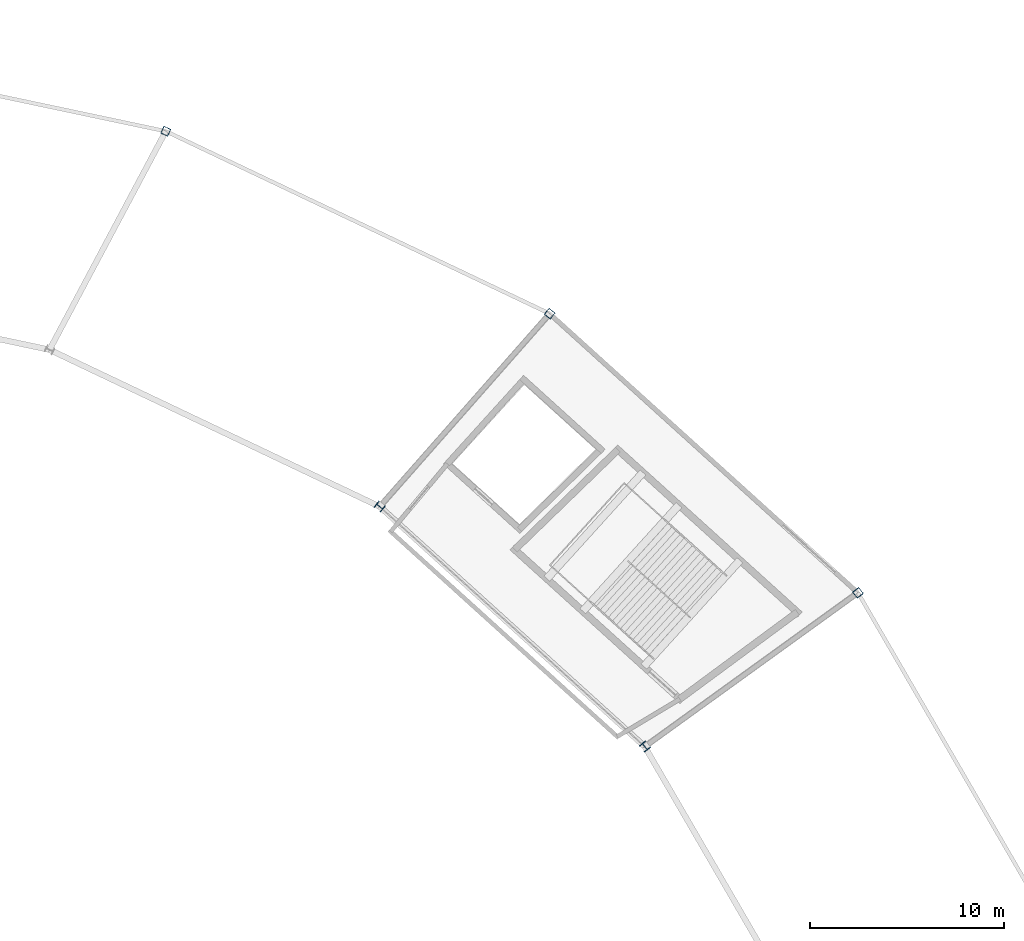
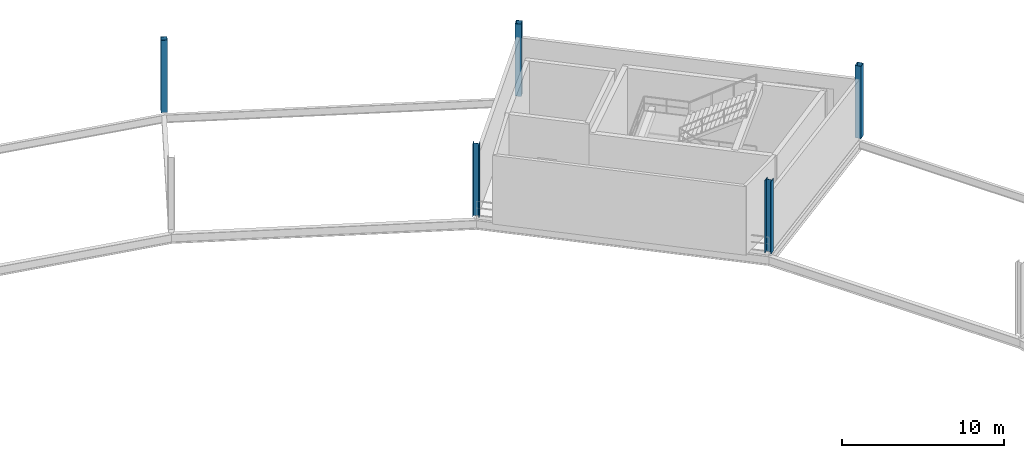
# One storey, part 11 of 86: 5 columns.
"""IFC4 building model written with IfcOpenShell, lengths in metres."""

import ifcopenshell
import ifcopenshell.guid

model = None  # the IFC model being written
_history = None  # IfcOwnerHistory: only IFC2X3 demands one
_inside = {}  # id of a spatial element -> (the spatial element, [elements in it])
_under = {}  # id of a project, library or spatial element -> (it, [spatial elements below it])
_declared = {}  # id of a project -> (the project, [libraries it declares])
_typed = {}  # id of a type object -> (the type object, [elements of that type])
_made_of = {}  # id of a material, layer set ... -> (it, [elements and type objects made of it])


def new_model(schema):
    """Start an empty IFC model of exactly this schema.

    Asked for "IFC4X3", IfcOpenShell would pick the latest addendum, in which some entities
    have other attributes; the version numbers below select the first issue.
    IFC2X3 requires an IfcOwnerHistory on every rooted entity: one is made here for all.
    """
    global model, _history
    if schema == "IFC4X3":
        model = ifcopenshell.file(schema_version=(4, 3, 0, 0))
    else:
        model = ifcopenshell.file(schema=schema)
    _inside.clear()
    _under.clear()
    _declared.clear()
    _typed.clear()
    _made_of.clear()
    _history = None
    if model.schema == "IFC2X3":
        org = make("IfcOrganization", Name="unknown")
        user = make(
            "IfcPersonAndOrganization",
            ThePerson=make("IfcPerson", FamilyName="unknown"),
            TheOrganization=org,
        )
        app = make(
            "IfcApplication",
            ApplicationDeveloper=org,
            Version="unknown",
            ApplicationFullName="unknown",
            ApplicationIdentifier="unknown",
        )
        _history = make(
            "IfcOwnerHistory",
            OwningUser=user,
            OwningApplication=app,
            ChangeAction="ADDED",
            CreationDate=0,
        )
    return model


def make(cls, **values):
    """One entity of the class cls with the attributes given. An attribute that is None is left unset."""
    return model.create_entity(
        cls, **{name: value for name, value in values.items() if value is not None}
    )


def rooted(cls, **values):
    """An entity with a GlobalId (a new one), such as an element, a storey or a relation."""
    return make(cls, GlobalId=ifcopenshell.guid.new(), OwnerHistory=_history, **values)


def si_unit(unit_type, name, prefix=None):
    """IfcSIUnit, for example si_unit("LENGTHUNIT", "METRE", prefix="MILLI")."""
    return make("IfcSIUnit", UnitType=unit_type, Prefix=prefix, Name=name)


def assignment(units):
    """IfcUnitAssignment: the units of a project."""
    return None if units is None else make("IfcUnitAssignment", Units=units)


def point(xyz):
    """IfcCartesianPoint."""
    return None if xyz is None else make("IfcCartesianPoint", Coordinates=xyz)


def direction(xyz):
    """IfcDirection."""
    return None if xyz is None else make("IfcDirection", DirectionRatios=xyz)


def frame(location, z_axis=None, x_axis=None):
    """IfcAxis2Placement3D, a coordinate frame: its origin and axes. An axis left out is left unset."""
    return make(
        "IfcAxis2Placement3D",
        Location=point(location),
        Axis=direction(z_axis),
        RefDirection=direction(x_axis),
    )


def frame_2d(location, x_axis=None):
    """IfcAxis2Placement2D, a coordinate frame in the plane: its origin and x axis."""
    return make(
        "IfcAxis2Placement2D", Location=point(location), RefDirection=direction(x_axis)
    )


def origin():
    """The frame at (0, 0, 0) with its axes left unset."""
    return frame((0.0, 0.0, 0.0))


def origin_2d():
    """The frame at (0, 0) in the plane with its x axis left unset."""
    return frame_2d((0.0, 0.0))


def place(relative_to, where):
    """IfcLocalPlacement: puts the frame where relative to a parent placement (None: the world)."""
    return make(
        "IfcLocalPlacement", PlacementRelTo=relative_to, RelativePlacement=where
    )


def context(
    kind, dimensions, precision=None, world=None, true_north=None, identifier=None
):
    """IfcGeometricRepresentationContext, for example the 3D "Model" context."""
    return make(
        "IfcGeometricRepresentationContext",
        ContextIdentifier=identifier,
        ContextType=kind,
        CoordinateSpaceDimension=dimensions,
        Precision=precision,
        WorldCoordinateSystem=world,
        TrueNorth=true_north,
    )


def subcontext(parent, identifier, kind, view, scale=None):
    """IfcGeometricRepresentationSubContext, for example "Body" below "Model"."""
    return make(
        "IfcGeometricRepresentationSubContext",
        ContextIdentifier=identifier,
        ContextType=kind,
        ParentContext=parent,
        TargetScale=scale,
        TargetView=view,
    )


def project(units=None, contexts=None):
    """IfcProject with its units and contexts."""
    return rooted(
        "IfcProject",
        Name="project",
        RepresentationContexts=contexts,
        UnitsInContext=assignment(units),
    )


def spatial(cls, under=None, at=None, **own):
    """A site, building, storey or space (cls), placed at a placement, below another one or the project."""
    s = rooted(cls, ObjectPlacement=at, **own)
    if under is not None:
        _under.setdefault(under.id(), (under, []))[1].append(s)
    return s


def profile(cls, at=None, kind="AREA", **sizes):
    """A parametric profile (cls). Its sizes go by their IFC names, for example OverallWidth=200.0."""
    return make(cls, ProfileType=kind, Position=at, **sizes)


def hollow_rectangle(**sizes):
    """IfcRectangleHollowProfileDef."""
    return profile("IfcRectangleHollowProfileDef", **sizes)


def i_section(**sizes):
    """IfcIShapeProfileDef."""
    return profile("IfcIShapeProfileDef", **sizes)


def extrude(swept, where, along, depth):
    """IfcExtrudedAreaSolid: the profile swept, set in the frame where, extruded along a direction by depth."""
    return make(
        "IfcExtrudedAreaSolid",
        SweptArea=swept,
        Position=where,
        ExtrudedDirection=direction(along),
        Depth=depth,
    )


def shape(context_of_items, identifier, shape_type, items):
    """IfcShapeRepresentation: the items that make up one representation, for example the "Body"."""
    return make(
        "IfcShapeRepresentation",
        ContextOfItems=context_of_items,
        RepresentationIdentifier=identifier,
        RepresentationType=shape_type,
        Items=items,
    )


def material(Name=None, Category=None):
    """IfcMaterial."""
    return make("IfcMaterial", Name=Name, Category=Category)


def material_profile(
    of_material, cross_section, Name=None, Category=None, Priority=None
):
    """IfcMaterialProfile: a cross section and its material."""
    return make(
        "IfcMaterialProfile",
        Name=Name,
        Material=of_material,
        Profile=cross_section,
        Priority=Priority,
        Category=Category,
    )


def profile_set(profiles, Name=None, composite=None):
    """IfcMaterialProfileSet."""
    return make(
        "IfcMaterialProfileSet",
        Name=Name,
        MaterialProfiles=profiles,
        CompositeProfile=composite,
    )


def made_of(thing, what):
    """Note that an element or type object is made of a material, layer set ...; save() writes the relation."""
    if what is not None:
        _made_of.setdefault(what.id(), (what, []))[1].append(thing)
    return thing


def type_object(cls, material=None, **own):
    """A type object (cls), such as IfcWallType, which elements share."""
    return made_of(rooted(cls, **own), material)


def element(
    cls,
    number,
    at=None,
    inside=None,
    cuts=None,
    type_object=None,
    material=None,
    context=None,
    identifier="Body",
    shape_type=None,
    held_by="IfcProductDefinitionShape",
    body=None,
    shapes=None,
    **own,
):
    """One element of the class cls, such as IfcWall. Its Tag is "e" and its number.

    at: its placement. inside: the storey or other place that contains it. cuts: it is an
    opening in that element (IfcRelVoidsElement). A single representation is given by context,
    identifier, shape_type and body (its items); several are given by shapes. held_by: the class
    of the entity that holds the representations. save() writes the other relations.
    """
    e = rooted(cls, Tag="e%d" % number, ObjectPlacement=at, **own)
    if body is not None:
        shapes = [shape(context, identifier, shape_type, body)]
    if shapes is not None:
        e.Representation = make(held_by, Representations=shapes)
    if inside is not None:
        _inside.setdefault(inside.id(), (inside, []))[1].append(e)
    if cuts is not None:
        rooted(
            "IfcRelVoidsElement", RelatingBuildingElement=cuts, RelatedOpeningElement=e
        )
    if type_object is not None:
        _typed.setdefault(type_object.id(), (type_object, []))[1].append(e)
    return made_of(e, material)


def aggregate(whole, parts):
    """IfcRelAggregates: a whole, such as a stair, and the parts it consists of."""
    return rooted("IfcRelAggregates", RelatingObject=whole, RelatedObjects=parts)


def save(model, path):
    """Write the relations noted so far, then the file.

    IfcRelAggregates (storeys below a building ...), IfcRelContainedInSpatialStructure (elements
    in a storey), IfcRelDefinesByType, IfcRelAssociatesMaterial and IfcRelDeclares: one each for
    every whole, place, type object, material and project.
    """
    for whole, parts in _under.values():
        aggregate(whole, parts)
    for where, things in _inside.values():
        rooted(
            "IfcRelContainedInSpatialStructure",
            RelatedElements=things,
            RelatingStructure=where,
        )
    for kind, things in _typed.values():
        rooted("IfcRelDefinesByType", RelatedObjects=things, RelatingType=kind)
    for what, things in _made_of.values():
        rooted("IfcRelAssociatesMaterial", RelatedObjects=things, RelatingMaterial=what)
    for by, libraries in _declared.values():
        rooted("IfcRelDeclares", RelatingContext=by, RelatedDefinitions=libraries)
    model.write(path)


model = new_model("IFC4")

# Units and contexts
model_context = context("Model", 3, precision=1e-05, world=origin(), true_north=direction((0.0, 1.0)))
body_context = subcontext(model_context, "Body", "Model", "MODEL_VIEW")
ifc_project = project(units=[si_unit("LENGTHUNIT", "METRE"), si_unit("AREAUNIT", "SQUARE_METRE"), si_unit("VOLUMEUNIT", "CUBIC_METRE"), si_unit("PLANEANGLEUNIT", "RADIAN"), si_unit("MASSUNIT", "GRAM", prefix="KILO")], contexts=[model_context])

# Site, building, storey
site_placement = place(None, origin())
site = spatial("IfcSite", under=ifc_project, at=site_placement, CompositionType="ELEMENT")
building_placement = place(site_placement, origin())
building = spatial("IfcBuilding", under=site, at=building_placement, Name="Kazemori Nagisa Stadium", CompositionType="ELEMENT")
storey_placement = place(building_placement, frame((0.0, 0.0, 31.280029296875)))
storey = spatial("IfcBuildingStorey", under=building, at=storey_placement, Name="L06", CompositionType="ELEMENT", Elevation=31.280029296875)

# Columns
ifc_material_1 = material(Name="Steel SN490B", Category="steel")
ifc_material_profile_1 = material_profile(ifc_material_1, i_section(OverallWidth=0.406982421875, OverallDepth=0.427978515625, WebThickness=0.02001953125, FlangeThickness=0.034912109375, FilletRadius=0.012939453125, at=origin_2d()), Name="H-428x407x20x35")
ifc_profile_set_1 = profile_set([ifc_material_profile_1], Name="Steel SN490B")
column_type_1 = type_object("IfcColumnType", Name="Column_C-H428", PredefinedType="COLUMN", material=ifc_profile_set_1)
for number, where, z_axis, x_axis, name in (
    (1, (190.506103515625, 150.734130859375, 0.0), (0.0, 0.0, 1.0), (0.781831482473, 0.623489801853, 0.0), "Column C-H428 L06 R2-04"),
    (2, (176.834228515625, 163.11083984375, 0.0), (0.0, 0.0, 1.0), (0.623489801853, 0.781831482473, 0.0), "Column C-H428 L06 R2-05"),
):
    element("IfcColumn", number, at=place(storey_placement, frame(where, z_axis=z_axis, x_axis=x_axis)), inside=storey, type_object=column_type_1, Name=name, PredefinedType="COLUMN", context=body_context, shape_type="SweptSolid", body=[
        extrude(i_section(OverallWidth=0.406982421875, OverallDepth=0.427978515625, WebThickness=0.02001953125, FlangeThickness=0.034912109375, FilletRadius=0.012939453125, at=origin_2d()), origin(), (0.0, 0.0, 1.0), 5.43994140625),
    ])
ifc_material_2 = material(Name="Steel STKR490", Category="steel")
ifc_material_profile_2 = material_profile(ifc_material_2, hollow_rectangle(XDim=0.39990234375, YDim=0.39990234375, WallThickness=0.01904296875, at=origin_2d()), Name="SHS-400x400x19")
ifc_profile_set_2 = profile_set([ifc_material_profile_2], Name="Steel STKR490")
column_type_2 = type_object("IfcColumnType", Name="Column_C-ST400", PredefinedType="COLUMN", material=ifc_profile_set_2)
for number, where, z_axis, x_axis, name in (
    (3, (201.495361328125, 158.667724609375, 0.0), (0.0, 0.0, 1.0), (0.781831482473, 0.623489801853, 0.0), "Column C-ST400 L06 R3-04"),
    (4, (185.597900390625, 173.05908203125, 0.0), (0.0, 0.0, 1.0), (0.623489801853, 0.781831482473, 0.0), "Column C-ST400 L06 R3-05"),
    (5, (165.8046875, 182.46435546875, 0.0), (0.0, 0.0, 1.0), (0.433883739113, 0.900968867905, 0.0), "Column C-ST400 L06 R3-06"),
):
    element("IfcColumn", number, at=place(storey_placement, frame(where, z_axis=z_axis, x_axis=x_axis)), inside=storey, type_object=column_type_2, Name=name, PredefinedType="COLUMN", context=body_context, shape_type="SweptSolid", body=[
        extrude(hollow_rectangle(XDim=0.39990234375, YDim=0.39990234375, WallThickness=0.01904296875, at=origin_2d()), origin(), (0.0, 0.0, 1.0), 5.43994140625),
    ])

save(model, "model.ifc")
